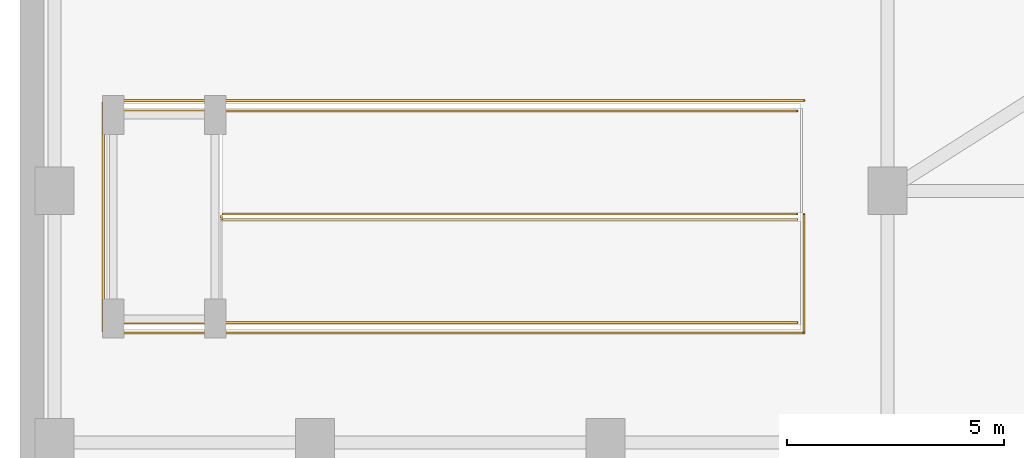
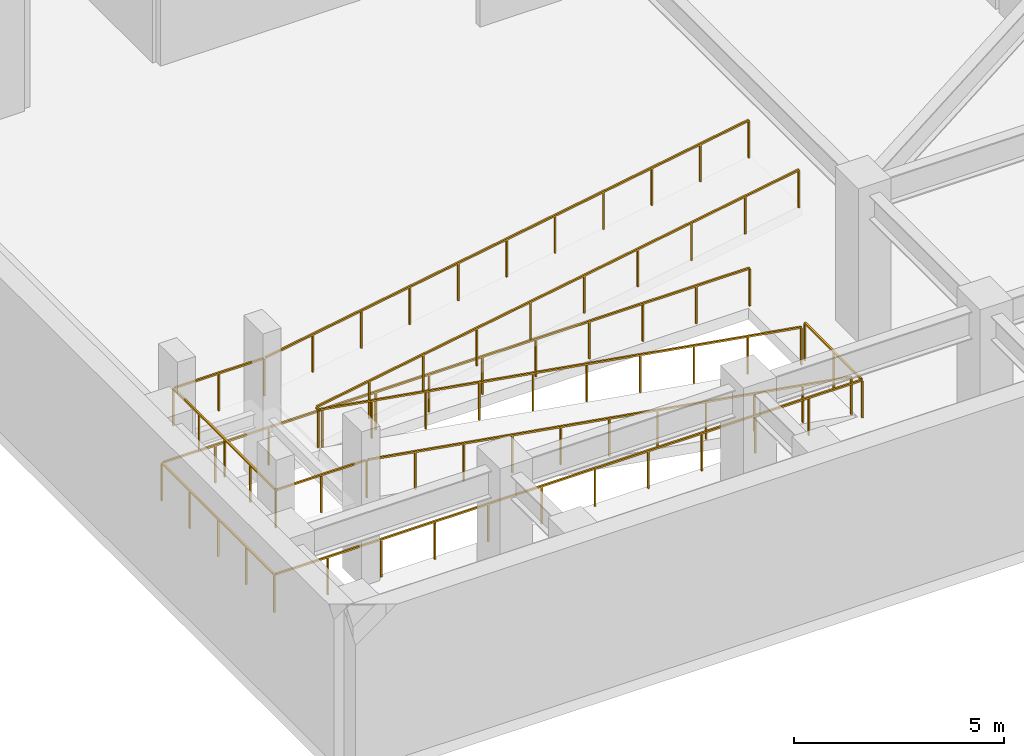
# One storey, part 7 of 8: 3 railings.
"""IFC4 building model written with IfcOpenShell, lengths in metres."""

from ifc_helpers import new_model, si_unit, direction, frame, origin, origin_2d, place, context, subcontext, project, spatial, rectangle, extrude, material, type_object, element, save


model = new_model("IFC4")

# Units and contexts
model_context = context("Model", 3, precision=1e-05, world=origin(), true_north=direction((0.0, 1.0)))
body_context = subcontext(model_context, "Body", "Model", "MODEL_VIEW")
ifc_project = project(units=[si_unit("LENGTHUNIT", "METRE"), si_unit("AREAUNIT", "SQUARE_METRE"), si_unit("VOLUMEUNIT", "CUBIC_METRE"), si_unit("PLANEANGLEUNIT", "RADIAN"), si_unit("MASSUNIT", "GRAM", prefix="KILO")], contexts=[model_context])

# Site, building, storey
site_placement = place(None, origin())
site = spatial("IfcSite", under=ifc_project, at=site_placement, CompositionType="ELEMENT")
building_placement = place(site_placement, origin())
building = spatial("IfcBuilding", under=site, at=building_placement, Name="Varnakorn Sky Granary", CompositionType="ELEMENT")
storey_placement = place(building_placement, frame((0.0, 0.0, -4.5)))
storey = spatial("IfcBuildingStorey", under=building, at=storey_placement, Name="B01", CompositionType="ELEMENT", Elevation=-4.5)

# Railings
ifc_material = material(Name="Brushed Stainless Steel 316", Category="steel")
railing_type = type_object("IfcRailingType", Name="RL-STAIR-1100", PredefinedType="GUARDRAIL", material=ifc_material)
railing_1_placement = place(storey_placement, frame((-15.919921875, -14.550048828125, 0.0)))
element("IfcRailing", 1, at=railing_1_placement, inside=storey, type_object=railing_type, Name="Ramp Slab Opening Perimeter Guard B01", PredefinedType="GUARDRAIL", context=body_context, shape_type="SweptSolid", body=[
    extrude(rectangle(XDim=0.048095703125, YDim=0.048095703125, at=origin_2d()), frame((0.0, 0.0, 1.09619140625), z_axis=(0.0, -1.0, 0.0), x_axis=(1.0, 0.0, 0.0)), (0.0, 0.0, 1.0), 2.701904296875),
    extrude(rectangle(XDim=0.048095703125, YDim=0.048095703125, at=origin_2d()), frame((-0.028076171875, -2.72998046875, 1.09619140625), z_axis=(-1.0, 0.0, 0.0), x_axis=(0.0, -1.0, 0.0)), (0.0, 0.0, 1.0), 16.104248046875),
    extrude(rectangle(XDim=0.048095703125, YDim=0.048095703125, at=origin_2d()), frame((-16.16015625, -2.701904296875, 1.09619140625), z_axis=(0.0, 1.0, 0.0), x_axis=(-1.0, 0.0, 0.0)), (0.0, 0.0, 1.0), 5.30419921875),
    extrude(rectangle(XDim=0.048095703125, YDim=0.048095703125, at=origin_2d()), frame((-16.132080078125, 2.630126953125, 1.09619140625), z_axis=(1.0, 0.0, 0.0), x_axis=(0.0, 1.0, 0.0)), (0.0, 0.0, 1.0), 16.132080078125),
    extrude(rectangle(XDim=0.0419921875, YDim=0.0419921875, at=origin_2d()), origin(), (0.0, 0.0, 1.0), 1.068115234375),
    extrude(rectangle(XDim=0.0419921875, YDim=0.0419921875, at=origin_2d()), frame((0.0, -1.364990234375, 0.0)), (0.0, 0.0, 1.0), 1.068115234375),
    extrude(rectangle(XDim=0.0419921875, YDim=0.0419921875, at=origin_2d()), frame((0.0, -2.72998046875, 0.0)), (0.0, 0.0, 1.0), 1.068115234375),
    extrude(rectangle(XDim=0.0419921875, YDim=0.0419921875, at=origin_2d()), frame((-1.468994140625, -2.72998046875, 0.0)), (0.0, 0.0, 1.0), 1.068115234375),
    extrude(rectangle(XDim=0.0419921875, YDim=0.0419921875, at=origin_2d()), frame((-2.938232421875, -2.72998046875, 0.0)), (0.0, 0.0, 1.0), 1.068115234375),
    extrude(rectangle(XDim=0.0419921875, YDim=0.0419921875, at=origin_2d()), frame((-4.4072265625, -2.72998046875, 0.0)), (0.0, 0.0, 1.0), 1.068115234375),
    extrude(rectangle(XDim=0.0419921875, YDim=0.0419921875, at=origin_2d()), frame((-5.87646484375, -2.72998046875, 0.0)), (0.0, 0.0, 1.0), 1.068115234375),
    extrude(rectangle(XDim=0.0419921875, YDim=0.0419921875, at=origin_2d()), frame((-7.345458984375, -2.72998046875, 0.0)), (0.0, 0.0, 1.0), 1.068115234375),
    extrude(rectangle(XDim=0.0419921875, YDim=0.0419921875, at=origin_2d()), frame((-8.814697265625, -2.72998046875, 0.0)), (0.0, 0.0, 1.0), 1.068115234375),
    extrude(rectangle(XDim=0.0419921875, YDim=0.0419921875, at=origin_2d()), frame((-10.28369140625, -2.72998046875, 0.0)), (0.0, 0.0, 1.0), 1.068115234375),
    extrude(rectangle(XDim=0.0419921875, YDim=0.0419921875, at=origin_2d()), frame((-11.7529296875, -2.72998046875, 0.0)), (0.0, 0.0, 1.0), 1.068115234375),
    extrude(rectangle(XDim=0.0419921875, YDim=0.0419921875, at=origin_2d()), frame((-13.221923828125, -2.72998046875, 0.0)), (0.0, 0.0, 1.0), 1.068115234375),
    extrude(rectangle(XDim=0.0419921875, YDim=0.0419921875, at=origin_2d()), frame((-14.691162109375, -2.72998046875, 0.0)), (0.0, 0.0, 1.0), 1.068115234375),
    extrude(rectangle(XDim=0.0419921875, YDim=0.0419921875, at=origin_2d()), frame((-16.16015625, -2.72998046875, 0.0)), (0.0, 0.0, 1.0), 1.068115234375),
    extrude(rectangle(XDim=0.0419921875, YDim=0.0419921875, at=origin_2d()), frame((-16.16015625, -1.389892578125, 0.0)), (0.0, 0.0, 1.0), 1.068115234375),
    extrude(rectangle(XDim=0.0419921875, YDim=0.0419921875, at=origin_2d()), frame((-16.16015625, -0.0498046875, 0.0)), (0.0, 0.0, 1.0), 1.068115234375),
    extrude(rectangle(XDim=0.0419921875, YDim=0.0419921875, at=origin_2d()), frame((-16.16015625, 1.2900390625, 0.0)), (0.0, 0.0, 1.0), 1.068115234375),
    extrude(rectangle(XDim=0.0419921875, YDim=0.0419921875, at=origin_2d()), frame((-16.16015625, 2.630126953125, 0.0)), (0.0, 0.0, 1.0), 1.068115234375),
    extrude(rectangle(XDim=0.0419921875, YDim=0.0419921875, at=origin_2d()), frame((-14.691162109375, 2.630126953125, 0.0)), (0.0, 0.0, 1.0), 1.068115234375),
    extrude(rectangle(XDim=0.0419921875, YDim=0.0419921875, at=origin_2d()), frame((-13.221923828125, 2.630126953125, 0.0)), (0.0, 0.0, 1.0), 1.068115234375),
    extrude(rectangle(XDim=0.0419921875, YDim=0.0419921875, at=origin_2d()), frame((-11.7529296875, 2.630126953125, 0.0)), (0.0, 0.0, 1.0), 1.068115234375),
    extrude(rectangle(XDim=0.0419921875, YDim=0.0419921875, at=origin_2d()), frame((-10.28369140625, 2.630126953125, 0.0)), (0.0, 0.0, 1.0), 1.068115234375),
    extrude(rectangle(XDim=0.0419921875, YDim=0.0419921875, at=origin_2d()), frame((-8.814697265625, 2.630126953125, 0.0)), (0.0, 0.0, 1.0), 1.068115234375),
    extrude(rectangle(XDim=0.0419921875, YDim=0.0419921875, at=origin_2d()), frame((-7.345458984375, 2.630126953125, 0.0)), (0.0, 0.0, 1.0), 1.068115234375),
    extrude(rectangle(XDim=0.0419921875, YDim=0.0419921875, at=origin_2d()), frame((-5.87646484375, 2.630126953125, 0.0)), (0.0, 0.0, 1.0), 1.068115234375),
    extrude(rectangle(XDim=0.0419921875, YDim=0.0419921875, at=origin_2d()), frame((-4.4072265625, 2.630126953125, 0.0)), (0.0, 0.0, 1.0), 1.068115234375),
    extrude(rectangle(XDim=0.0419921875, YDim=0.0419921875, at=origin_2d()), frame((-2.938232421875, 2.630126953125, 0.0)), (0.0, 0.0, 1.0), 1.068115234375),
    extrude(rectangle(XDim=0.0419921875, YDim=0.0419921875, at=origin_2d()), frame((-1.468994140625, 2.630126953125, 0.0)), (0.0, 0.0, 1.0), 1.068115234375),
    extrude(rectangle(XDim=0.0419921875, YDim=0.0419921875, at=origin_2d()), frame((0.0, 2.630126953125, 0.0)), (0.0, 0.0, 1.0), 1.068115234375),
])
railing_2_placement = place(storey_placement, frame((-16.080078125, -14.659912109375, 0.0)))
element("IfcRailing", 2, at=railing_2_placement, inside=storey, type_object=railing_type, Name="Vehicle Ramp Median Guard B01", PredefinedType="GUARDRAIL", context=body_context, shape_type="SweptSolid", body=[
    extrude(rectangle(XDim=0.048095703125, YDim=0.048095703125, at=origin_2d()), frame((0.0, 0.0, 1.09619140625), z_axis=(-0.985948982691, 0.0, 0.167046710626), x_axis=(0.0, -1.0, 0.0)), (0.0, 0.0, 1.0), 13.44140625),
    extrude(rectangle(XDim=0.048095703125, YDim=0.048095703125, at=origin_2d()), frame((-13.280029296875, 0.028076171875, 3.34619140625), z_axis=(0.0, 1.0, 0.0), x_axis=(-1.0, 0.0, 0.0)), (0.0, 0.0, 1.0), 0.06396484375),
    extrude(rectangle(XDim=0.048095703125, YDim=0.048095703125, at=origin_2d()), frame((-13.25244140625, 0.119873046875, 3.350830078125), z_axis=(0.985948982691, 0.0, 0.167046710626), x_axis=(0.0, 1.0, 0.0)), (0.0, 0.0, 1.0), 13.44140625),
    extrude(rectangle(XDim=0.0419921875, YDim=0.0419921875, at=origin_2d()), origin(), (0.0, 0.0, 1.0), 1.068115234375),
    extrude(rectangle(XDim=0.0419921875, YDim=0.0419921875, at=origin_2d()), frame((-1.4755859375, 0.0, 0.25)), (0.0, 0.0, 1.0), 1.068115234375),
    extrude(rectangle(XDim=0.0419921875, YDim=0.0419921875, at=origin_2d()), frame((-2.951171875, 0.0, 0.5)), (0.0, 0.0, 1.0), 1.068115234375),
    extrude(rectangle(XDim=0.0419921875, YDim=0.0419921875, at=origin_2d()), frame((-4.4267578125, 0.0, 0.75)), (0.0, 0.0, 1.0), 1.068115234375),
    extrude(rectangle(XDim=0.0419921875, YDim=0.0419921875, at=origin_2d()), frame((-5.90234375, 0.0, 1.0)), (0.0, 0.0, 1.0), 1.068115234375),
    extrude(rectangle(XDim=0.0419921875, YDim=0.0419921875, at=origin_2d()), frame((-7.377685546875, 0.0, 1.25)), (0.0, 0.0, 1.0), 1.068115234375),
    extrude(rectangle(XDim=0.0419921875, YDim=0.0419921875, at=origin_2d()), frame((-8.853271484375, 0.0, 1.5)), (0.0, 0.0, 1.0), 1.068115234375),
    extrude(rectangle(XDim=0.0419921875, YDim=0.0419921875, at=origin_2d()), frame((-10.328857421875, 0.0, 1.75)), (0.0, 0.0, 1.0), 1.068115234375),
    extrude(rectangle(XDim=0.0419921875, YDim=0.0419921875, at=origin_2d()), frame((-11.804443359375, 0.0, 2.0)), (0.0, 0.0, 1.0), 1.068115234375),
    extrude(rectangle(XDim=0.0419921875, YDim=0.0419921875, at=origin_2d()), frame((-13.280029296875, 0.0, 2.25)), (0.0, 0.0, 1.0), 1.068115234375),
    extrude(rectangle(XDim=0.0419921875, YDim=0.0419921875, at=origin_2d()), frame((-11.804443359375, 0.119873046875, 2.5)), (0.0, 0.0, 1.0), 1.068115234375),
    extrude(rectangle(XDim=0.0419921875, YDim=0.0419921875, at=origin_2d()), frame((-10.328857421875, 0.119873046875, 2.75)), (0.0, 0.0, 1.0), 1.068115234375),
    extrude(rectangle(XDim=0.0419921875, YDim=0.0419921875, at=origin_2d()), frame((-8.853271484375, 0.119873046875, 3.0)), (0.0, 0.0, 1.0), 1.068115234375),
    extrude(rectangle(XDim=0.0419921875, YDim=0.0419921875, at=origin_2d()), frame((-7.377685546875, 0.119873046875, 3.25)), (0.0, 0.0, 1.0), 1.068115234375),
    extrude(rectangle(XDim=0.0419921875, YDim=0.0419921875, at=origin_2d()), frame((-5.90234375, 0.119873046875, 3.5)), (0.0, 0.0, 1.0), 1.068115234375),
    extrude(rectangle(XDim=0.0419921875, YDim=0.0419921875, at=origin_2d()), frame((-4.4267578125, 0.119873046875, 3.75)), (0.0, 0.0, 1.0), 1.068115234375),
    extrude(rectangle(XDim=0.0419921875, YDim=0.0419921875, at=origin_2d()), frame((-2.951171875, 0.119873046875, 4.0)), (0.0, 0.0, 1.0), 1.068115234375),
    extrude(rectangle(XDim=0.0419921875, YDim=0.0419921875, at=origin_2d()), frame((-1.4755859375, 0.119873046875, 4.25)), (0.0, 0.0, 1.0), 1.068115234375),
    extrude(rectangle(XDim=0.0419921875, YDim=0.0419921875, at=origin_2d()), frame((0.0, 0.119873046875, 4.5)), (0.0, 0.0, 1.0), 1.068115234375),
])
railing_3_placement = place(storey_placement, frame((-16.080078125, -17.0400390625, 0.0)))
element("IfcRailing", 3, at=railing_3_placement, inside=storey, type_object=railing_type, Name="Vehicle Ramp Outer Perimeter Guard B01", PredefinedType="GUARDRAIL", context=body_context, shape_type="SweptSolid", body=[
    extrude(rectangle(XDim=0.048095703125, YDim=0.048095703125, at=origin_2d()), frame((0.0, 0.0, 1.09619140625), z_axis=(-0.986031067814, 0.0, 0.166561500073), x_axis=(0.0, -1.0, 0.0)), (0.0, 0.0, 1.0), 13.48046875),
    extrude(rectangle(XDim=0.048095703125, YDim=0.048095703125, at=origin_2d()), frame((-13.347900390625, 0.0, 3.34619140625), z_axis=(-1.0, 0.0, 0.0), x_axis=(0.0, -1.0, 0.0)), (0.0, 0.0, 1.0), 2.444091796875),
    extrude(rectangle(XDim=0.048095703125, YDim=0.048095703125, at=origin_2d()), frame((-15.81982421875, 0.028076171875, 3.34619140625), z_axis=(0.0, 1.0, 0.0), x_axis=(-1.0, 0.0, 0.0)), (0.0, 0.0, 1.0), 4.82421875),
    extrude(rectangle(XDim=0.048095703125, YDim=0.048095703125, at=origin_2d()), frame((-15.791748046875, 4.880126953125, 3.34619140625), z_axis=(1.0, 0.0, 0.0), x_axis=(0.0, 1.0, 0.0)), (0.0, 0.0, 1.0), 2.444091796875),
    extrude(rectangle(XDim=0.048095703125, YDim=0.048095703125, at=origin_2d()), frame((-13.292236328125, 4.880126953125, 3.350830078125), z_axis=(0.986031067814, 0.0, 0.166561500073), x_axis=(0.0, 1.0, 0.0)), (0.0, 0.0, 1.0), 13.48046875),
    extrude(rectangle(XDim=0.0419921875, YDim=0.0419921875, at=origin_2d()), origin(), (0.0, 0.0, 1.0), 1.068115234375),
    extrude(rectangle(XDim=0.0419921875, YDim=0.0419921875, at=origin_2d()), frame((-1.33203125, 0.0, 0.22509765625)), (0.0, 0.0, 1.0), 1.068115234375),
    extrude(rectangle(XDim=0.0419921875, YDim=0.0419921875, at=origin_2d()), frame((-2.6640625, 0.0, 0.449951171875)), (0.0, 0.0, 1.0), 1.068115234375),
    extrude(rectangle(XDim=0.0419921875, YDim=0.0419921875, at=origin_2d()), frame((-3.995849609375, 0.0, 0.675048828125)), (0.0, 0.0, 1.0), 1.068115234375),
    extrude(rectangle(XDim=0.0419921875, YDim=0.0419921875, at=origin_2d()), frame((-5.327880859375, 0.0, 0.89990234375)), (0.0, 0.0, 1.0), 1.068115234375),
    extrude(rectangle(XDim=0.0419921875, YDim=0.0419921875, at=origin_2d()), frame((-6.659912109375, 0.0, 1.125)), (0.0, 0.0, 1.0), 1.068115234375),
    extrude(rectangle(XDim=0.0419921875, YDim=0.0419921875, at=origin_2d()), frame((-7.991943359375, 0.0, 1.35009765625)), (0.0, 0.0, 1.0), 1.068115234375),
    extrude(rectangle(XDim=0.0419921875, YDim=0.0419921875, at=origin_2d()), frame((-9.323974609375, 0.0, 1.574951171875)), (0.0, 0.0, 1.0), 1.068115234375),
    extrude(rectangle(XDim=0.0419921875, YDim=0.0419921875, at=origin_2d()), frame((-10.65576171875, 0.0, 1.800048828125)), (0.0, 0.0, 1.0), 1.068115234375),
    extrude(rectangle(XDim=0.0419921875, YDim=0.0419921875, at=origin_2d()), frame((-11.98779296875, 0.0, 2.02490234375)), (0.0, 0.0, 1.0), 1.068115234375),
    extrude(rectangle(XDim=0.0419921875, YDim=0.0419921875, at=origin_2d()), frame((-13.31982421875, 0.0, 2.25)), (0.0, 0.0, 1.0), 1.068115234375),
    extrude(rectangle(XDim=0.0419921875, YDim=0.0419921875, at=origin_2d()), frame((-14.56982421875, 0.0, 2.25)), (0.0, 0.0, 1.0), 1.068115234375),
    extrude(rectangle(XDim=0.0419921875, YDim=0.0419921875, at=origin_2d()), frame((-15.81982421875, 0.0, 2.25)), (0.0, 0.0, 1.0), 1.068115234375),
    extrude(rectangle(XDim=0.0419921875, YDim=0.0419921875, at=origin_2d()), frame((-15.81982421875, 1.219970703125, 2.25)), (0.0, 0.0, 1.0), 1.068115234375),
    extrude(rectangle(XDim=0.0419921875, YDim=0.0419921875, at=origin_2d()), frame((-15.81982421875, 2.43994140625, 2.25)), (0.0, 0.0, 1.0), 1.068115234375),
    extrude(rectangle(XDim=0.0419921875, YDim=0.0419921875, at=origin_2d()), frame((-15.81982421875, 3.66015625, 2.25)), (0.0, 0.0, 1.0), 1.068115234375),
    extrude(rectangle(XDim=0.0419921875, YDim=0.0419921875, at=origin_2d()), frame((-15.81982421875, 4.880126953125, 2.25)), (0.0, 0.0, 1.0), 1.068115234375),
    extrude(rectangle(XDim=0.0419921875, YDim=0.0419921875, at=origin_2d()), frame((-14.56982421875, 4.880126953125, 2.25)), (0.0, 0.0, 1.0), 1.068115234375),
    extrude(rectangle(XDim=0.0419921875, YDim=0.0419921875, at=origin_2d()), frame((-13.31982421875, 4.880126953125, 2.25)), (0.0, 0.0, 1.0), 1.068115234375),
    extrude(rectangle(XDim=0.0419921875, YDim=0.0419921875, at=origin_2d()), frame((-11.98779296875, 4.880126953125, 2.47509765625)), (0.0, 0.0, 1.0), 1.068115234375),
    extrude(rectangle(XDim=0.0419921875, YDim=0.0419921875, at=origin_2d()), frame((-10.65576171875, 4.880126953125, 2.699951171875)), (0.0, 0.0, 1.0), 1.068115234375),
    extrude(rectangle(XDim=0.0419921875, YDim=0.0419921875, at=origin_2d()), frame((-9.323974609375, 4.880126953125, 2.925048828125)), (0.0, 0.0, 1.0), 1.068115234375),
    extrude(rectangle(XDim=0.0419921875, YDim=0.0419921875, at=origin_2d()), frame((-7.991943359375, 4.880126953125, 3.14990234375)), (0.0, 0.0, 1.0), 1.068115234375),
    extrude(rectangle(XDim=0.0419921875, YDim=0.0419921875, at=origin_2d()), frame((-6.659912109375, 4.880126953125, 3.375)), (0.0, 0.0, 1.0), 1.068115234375),
    extrude(rectangle(XDim=0.0419921875, YDim=0.0419921875, at=origin_2d()), frame((-5.327880859375, 4.880126953125, 3.60009765625)), (0.0, 0.0, 1.0), 1.068115234375),
    extrude(rectangle(XDim=0.0419921875, YDim=0.0419921875, at=origin_2d()), frame((-3.995849609375, 4.880126953125, 3.824951171875)), (0.0, 0.0, 1.0), 1.068115234375),
    extrude(rectangle(XDim=0.0419921875, YDim=0.0419921875, at=origin_2d()), frame((-2.6640625, 4.880126953125, 4.050048828125)), (0.0, 0.0, 1.0), 1.068115234375),
    extrude(rectangle(XDim=0.0419921875, YDim=0.0419921875, at=origin_2d()), frame((-1.33203125, 4.880126953125, 4.27490234375)), (0.0, 0.0, 1.0), 1.068115234375),
    extrude(rectangle(XDim=0.0419921875, YDim=0.0419921875, at=origin_2d()), frame((0.0, 4.880126953125, 4.5)), (0.0, 0.0, 1.0), 1.068115234375),
])

save(model, "model.ifc")
